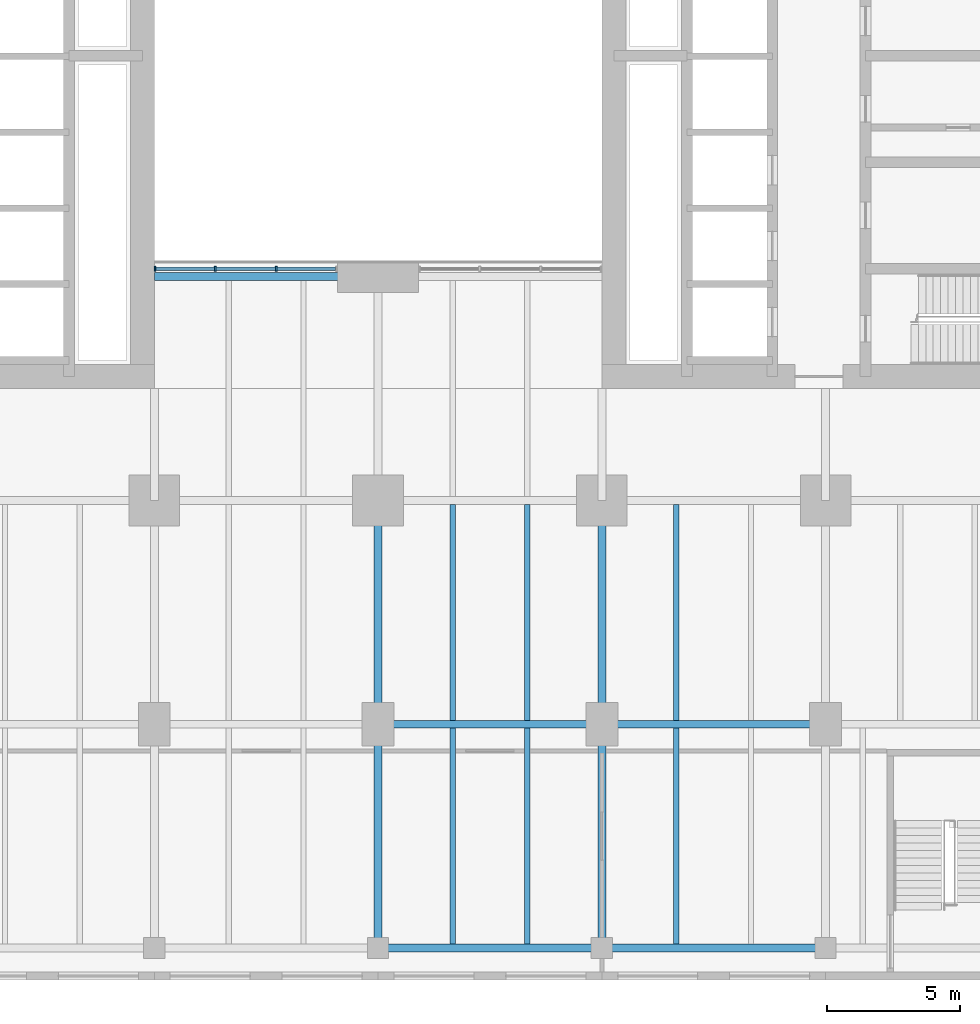
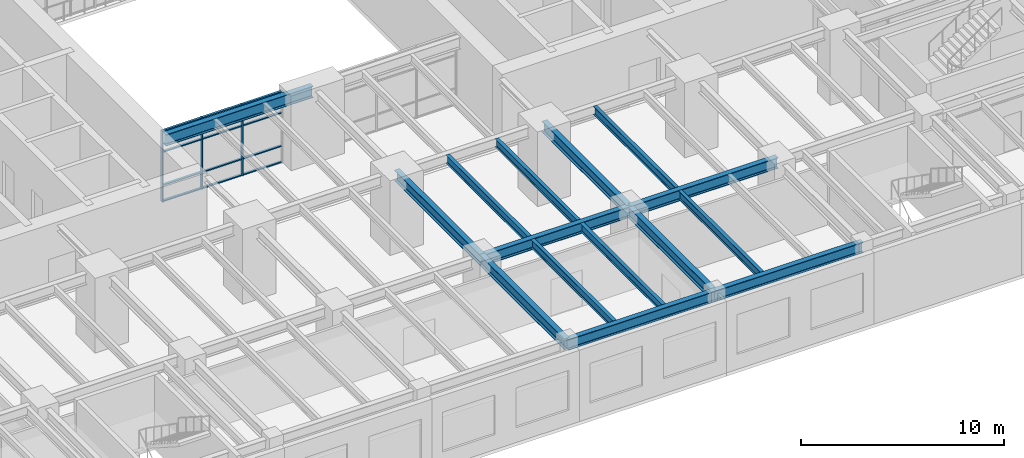
# One storey, part 2 of 26: 15 beams, 15 members, 1 element without a shape of its own.
"""IFC4 building model written with IfcOpenShell, lengths in metres."""

import ifcopenshell
import ifcopenshell.guid

model = None  # the IFC model being written
_history = None  # IfcOwnerHistory: only IFC2X3 demands one
_inside = {}  # id of a spatial element -> (the spatial element, [elements in it])
_under = {}  # id of a project, library or spatial element -> (it, [spatial elements below it])
_declared = {}  # id of a project -> (the project, [libraries it declares])
_typed = {}  # id of a type object -> (the type object, [elements of that type])
_made_of = {}  # id of a material, layer set ... -> (it, [elements and type objects made of it])


def new_model(schema):
    """Start an empty IFC model of exactly this schema.

    Asked for "IFC4X3", IfcOpenShell would pick the latest addendum, in which some entities
    have other attributes; the version numbers below select the first issue.
    IFC2X3 requires an IfcOwnerHistory on every rooted entity: one is made here for all.
    """
    global model, _history
    if schema == "IFC4X3":
        model = ifcopenshell.file(schema_version=(4, 3, 0, 0))
    else:
        model = ifcopenshell.file(schema=schema)
    _inside.clear()
    _under.clear()
    _declared.clear()
    _typed.clear()
    _made_of.clear()
    _history = None
    if model.schema == "IFC2X3":
        org = make("IfcOrganization", Name="unknown")
        user = make(
            "IfcPersonAndOrganization",
            ThePerson=make("IfcPerson", FamilyName="unknown"),
            TheOrganization=org,
        )
        app = make(
            "IfcApplication",
            ApplicationDeveloper=org,
            Version="unknown",
            ApplicationFullName="unknown",
            ApplicationIdentifier="unknown",
        )
        _history = make(
            "IfcOwnerHistory",
            OwningUser=user,
            OwningApplication=app,
            ChangeAction="ADDED",
            CreationDate=0,
        )
    return model


def make(cls, **values):
    """One entity of the class cls with the attributes given. An attribute that is None is left unset."""
    return model.create_entity(
        cls, **{name: value for name, value in values.items() if value is not None}
    )


def rooted(cls, **values):
    """An entity with a GlobalId (a new one), such as an element, a storey or a relation."""
    return make(cls, GlobalId=ifcopenshell.guid.new(), OwnerHistory=_history, **values)


def si_unit(unit_type, name, prefix=None):
    """IfcSIUnit, for example si_unit("LENGTHUNIT", "METRE", prefix="MILLI")."""
    return make("IfcSIUnit", UnitType=unit_type, Prefix=prefix, Name=name)


def assignment(units):
    """IfcUnitAssignment: the units of a project."""
    return None if units is None else make("IfcUnitAssignment", Units=units)


def point(xyz):
    """IfcCartesianPoint."""
    return None if xyz is None else make("IfcCartesianPoint", Coordinates=xyz)


def direction(xyz):
    """IfcDirection."""
    return None if xyz is None else make("IfcDirection", DirectionRatios=xyz)


def frame(location, z_axis=None, x_axis=None):
    """IfcAxis2Placement3D, a coordinate frame: its origin and axes. An axis left out is left unset."""
    return make(
        "IfcAxis2Placement3D",
        Location=point(location),
        Axis=direction(z_axis),
        RefDirection=direction(x_axis),
    )


def frame_2d(location, x_axis=None):
    """IfcAxis2Placement2D, a coordinate frame in the plane: its origin and x axis."""
    return make(
        "IfcAxis2Placement2D", Location=point(location), RefDirection=direction(x_axis)
    )


def origin():
    """The frame at (0, 0, 0) with its axes left unset."""
    return frame((0.0, 0.0, 0.0))


def origin_2d():
    """The frame at (0, 0) in the plane with its x axis left unset."""
    return frame_2d((0.0, 0.0))


def place(relative_to, where):
    """IfcLocalPlacement: puts the frame where relative to a parent placement (None: the world)."""
    return make(
        "IfcLocalPlacement", PlacementRelTo=relative_to, RelativePlacement=where
    )


def context(
    kind, dimensions, precision=None, world=None, true_north=None, identifier=None
):
    """IfcGeometricRepresentationContext, for example the 3D "Model" context."""
    return make(
        "IfcGeometricRepresentationContext",
        ContextIdentifier=identifier,
        ContextType=kind,
        CoordinateSpaceDimension=dimensions,
        Precision=precision,
        WorldCoordinateSystem=world,
        TrueNorth=true_north,
    )


def subcontext(parent, identifier, kind, view, scale=None):
    """IfcGeometricRepresentationSubContext, for example "Body" below "Model"."""
    return make(
        "IfcGeometricRepresentationSubContext",
        ContextIdentifier=identifier,
        ContextType=kind,
        ParentContext=parent,
        TargetScale=scale,
        TargetView=view,
    )


def project(units=None, contexts=None):
    """IfcProject with its units and contexts."""
    return rooted(
        "IfcProject",
        Name="project",
        RepresentationContexts=contexts,
        UnitsInContext=assignment(units),
    )


def spatial(cls, under=None, at=None, **own):
    """A site, building, storey or space (cls), placed at a placement, below another one or the project."""
    s = rooted(cls, ObjectPlacement=at, **own)
    if under is not None:
        _under.setdefault(under.id(), (under, []))[1].append(s)
    return s


def profile(cls, at=None, kind="AREA", **sizes):
    """A parametric profile (cls). Its sizes go by their IFC names, for example OverallWidth=200.0."""
    return make(cls, ProfileType=kind, Position=at, **sizes)


def rectangle(**sizes):
    """IfcRectangleProfileDef."""
    return profile("IfcRectangleProfileDef", **sizes)


def i_section(**sizes):
    """IfcIShapeProfileDef."""
    return profile("IfcIShapeProfileDef", **sizes)


def extrude(swept, where, along, depth):
    """IfcExtrudedAreaSolid: the profile swept, set in the frame where, extruded along a direction by depth."""
    return make(
        "IfcExtrudedAreaSolid",
        SweptArea=swept,
        Position=where,
        ExtrudedDirection=direction(along),
        Depth=depth,
    )


def shape(context_of_items, identifier, shape_type, items):
    """IfcShapeRepresentation: the items that make up one representation, for example the "Body"."""
    return make(
        "IfcShapeRepresentation",
        ContextOfItems=context_of_items,
        RepresentationIdentifier=identifier,
        RepresentationType=shape_type,
        Items=items,
    )


def material(Name=None, Category=None):
    """IfcMaterial."""
    return make("IfcMaterial", Name=Name, Category=Category)


def material_profile(
    of_material, cross_section, Name=None, Category=None, Priority=None
):
    """IfcMaterialProfile: a cross section and its material."""
    return make(
        "IfcMaterialProfile",
        Name=Name,
        Material=of_material,
        Profile=cross_section,
        Priority=Priority,
        Category=Category,
    )


def profile_set(profiles, Name=None, composite=None):
    """IfcMaterialProfileSet."""
    return make(
        "IfcMaterialProfileSet",
        Name=Name,
        MaterialProfiles=profiles,
        CompositeProfile=composite,
    )


def made_of(thing, what):
    """Note that an element or type object is made of a material, layer set ...; save() writes the relation."""
    if what is not None:
        _made_of.setdefault(what.id(), (what, []))[1].append(thing)
    return thing


def type_object(cls, material=None, **own):
    """A type object (cls), such as IfcWallType, which elements share."""
    return made_of(rooted(cls, **own), material)


def element(
    cls,
    number,
    at=None,
    inside=None,
    cuts=None,
    type_object=None,
    material=None,
    context=None,
    identifier="Body",
    shape_type=None,
    held_by="IfcProductDefinitionShape",
    body=None,
    shapes=None,
    **own,
):
    """One element of the class cls, such as IfcWall. Its Tag is "e" and its number.

    at: its placement. inside: the storey or other place that contains it. cuts: it is an
    opening in that element (IfcRelVoidsElement). A single representation is given by context,
    identifier, shape_type and body (its items); several are given by shapes. held_by: the class
    of the entity that holds the representations. save() writes the other relations.
    """
    e = rooted(cls, Tag="e%d" % number, ObjectPlacement=at, **own)
    if body is not None:
        shapes = [shape(context, identifier, shape_type, body)]
    if shapes is not None:
        e.Representation = make(held_by, Representations=shapes)
    if inside is not None:
        _inside.setdefault(inside.id(), (inside, []))[1].append(e)
    if cuts is not None:
        rooted(
            "IfcRelVoidsElement", RelatingBuildingElement=cuts, RelatedOpeningElement=e
        )
    if type_object is not None:
        _typed.setdefault(type_object.id(), (type_object, []))[1].append(e)
    return made_of(e, material)


def aggregate(whole, parts):
    """IfcRelAggregates: a whole, such as a stair, and the parts it consists of."""
    return rooted("IfcRelAggregates", RelatingObject=whole, RelatedObjects=parts)


def save(model, path):
    """Write the relations noted so far, then the file.

    IfcRelAggregates (storeys below a building ...), IfcRelContainedInSpatialStructure (elements
    in a storey), IfcRelDefinesByType, IfcRelAssociatesMaterial and IfcRelDeclares: one each for
    every whole, place, type object, material and project.
    """
    for whole, parts in _under.values():
        aggregate(whole, parts)
    for where, things in _inside.values():
        rooted(
            "IfcRelContainedInSpatialStructure",
            RelatedElements=things,
            RelatingStructure=where,
        )
    for kind, things in _typed.values():
        rooted("IfcRelDefinesByType", RelatedObjects=things, RelatingType=kind)
    for what, things in _made_of.values():
        rooted("IfcRelAssociatesMaterial", RelatedObjects=things, RelatingMaterial=what)
    for by, libraries in _declared.values():
        rooted("IfcRelDeclares", RelatingContext=by, RelatedDefinitions=libraries)
    model.write(path)


model = new_model("IFC4")

# Units and contexts
model_context = context("Model", 3, precision=1e-05, world=origin(), true_north=direction((0.0, 1.0)))
body_context = subcontext(model_context, "Body", "Model", "MODEL_VIEW")
ifc_project = project(units=[si_unit("LENGTHUNIT", "METRE"), si_unit("AREAUNIT", "SQUARE_METRE"), si_unit("VOLUMEUNIT", "CUBIC_METRE"), si_unit("PLANEANGLEUNIT", "RADIAN"), si_unit("MASSUNIT", "GRAM", prefix="KILO")], contexts=[model_context])

# Site, building, storey
site_placement = place(None, origin())
site = spatial("IfcSite", under=ifc_project, at=site_placement, CompositionType="ELEMENT")
building_placement = place(site_placement, origin())
building = spatial("IfcBuilding", under=site, at=building_placement, Name="Claustro Exchange Tower", CompositionType="ELEMENT")
storey_placement = place(building_placement, frame((0.0, 0.0, 9.89990234375)))
storey = spatial("IfcBuildingStorey", under=building, at=storey_placement, Name="L02", CompositionType="ELEMENT", Elevation=9.89990234375)

# Beams
ifc_material_1 = material(Name="Steel S355", Category="steel")
ifc_material_profile_1 = material_profile(ifc_material_1, i_section(OverallWidth=0.300048828125, OverallDepth=0.68994140625, WebThickness=0.014404296875, FlangeThickness=0.027099609375, FilletRadius=0.027099609375, at=origin_2d()), Name="HE 700 A")
ifc_profile_set_1 = profile_set([ifc_material_profile_1], Name="Steel S355")
beam_type_1 = type_object("IfcBeamType", Name="B13 HE 700 A light well edge girder", PredefinedType="BEAM", material=ifc_profile_set_1)
beam_1_placement = place(storey_placement, frame((16.800048828125, 16.800048828125, 3.955078125), z_axis=(1.0, 0.0, 0.0), x_axis=(0.0, 1.0, 0.0)))
element("IfcBeam", 1, at=beam_1_placement, inside=storey, type_object=beam_type_1, Name="Beam B13 L03", PredefinedType="BEAM", context=body_context, shape_type="SweptSolid", body=[
    extrude(i_section(OverallWidth=0.300048828125, OverallDepth=0.68994140625, WebThickness=0.014404296875, FlangeThickness=0.027099609375, FilletRadius=0.027099609375, at=origin_2d()), origin(), (0.0, 0.0, 1.0), 8.39990234375),
])
ifc_material_2 = material(Name="Steel S355", Category="steel")
ifc_material_profile_2 = material_profile(ifc_material_2, i_section(OverallWidth=0.300048828125, OverallDepth=0.64990234375, WebThickness=0.01611328125, FlangeThickness=0.031005859375, FilletRadius=0.027099609375, at=origin_2d()), Name="HE 650 B")
ifc_profile_set_2 = profile_set([ifc_material_profile_2], Name="Steel S355")
beam_type_2 = type_object("IfcBeamType", Name="B1A HE 650 B floor girder", PredefinedType="BEAM", material=ifc_profile_set_2)
for number, where, z_axis, x_axis, name in (
    (2, (25.199951171875, -8.39990234375, 3.97509765625), (0.0, 1.0, 0.0), (-1.0, 0.0, 0.0), "Beam B1A L03"),
    (3, (25.199951171875, 0.0, 3.97509765625), (0.0, 1.0, 0.0), (-1.0, 0.0, 0.0), "Beam B1A L03"),
    (4, (33.60009765625, -8.39990234375, 3.97509765625), (0.0, 1.0, 0.0), (-1.0, 0.0, 0.0), "Beam B1A L03"),
    (5, (33.60009765625, 0.0, 3.97509765625), (0.0, 1.0, 0.0), (-1.0, 0.0, 0.0), "Beam B1A L03"),
):
    element("IfcBeam", number, at=place(storey_placement, frame(where, z_axis=z_axis, x_axis=x_axis)), inside=storey, type_object=beam_type_2, Name=name, PredefinedType="BEAM", context=body_context, shape_type="SweptSolid", body=[
        extrude(i_section(OverallWidth=0.300048828125, OverallDepth=0.64990234375, WebThickness=0.01611328125, FlangeThickness=0.031005859375, FilletRadius=0.027099609375, at=origin_2d()), origin(), (0.0, 0.0, 1.0), 8.39990234375),
    ])
beam_2_placement = place(storey_placement, frame((25.199951171875, -8.39990234375, 3.97509765625), z_axis=(1.0, 0.0, 0.0), x_axis=(0.0, 1.0, 0.0)))
element("IfcBeam", 6, at=beam_2_placement, inside=storey, type_object=beam_type_2, Name="Beam B1A L03", PredefinedType="BEAM", context=body_context, shape_type="SweptSolid", body=[
    extrude(i_section(OverallWidth=0.300048828125, OverallDepth=0.64990234375, WebThickness=0.01611328125, FlangeThickness=0.031005859375, FilletRadius=0.027099609375, at=origin_2d()), origin(), (0.0, 0.0, 1.0), 8.400146484375),
])
beam_3_placement = place(storey_placement, frame((33.60009765625, -8.39990234375, 3.97509765625), z_axis=(1.0, 0.0, 0.0), x_axis=(0.0, 1.0, 0.0)))
element("IfcBeam", 7, at=beam_3_placement, inside=storey, type_object=beam_type_2, Name="Beam B1A L03", PredefinedType="BEAM", context=body_context, shape_type="SweptSolid", body=[
    extrude(i_section(OverallWidth=0.300048828125, OverallDepth=0.64990234375, WebThickness=0.01611328125, FlangeThickness=0.031005859375, FilletRadius=0.027099609375, at=origin_2d()), origin(), (0.0, 0.0, 1.0), 8.39990234375),
])
beam_4_placement = place(storey_placement, frame((25.199951171875, 0.0, 3.97509765625), z_axis=(1.0, 0.0, 0.0), x_axis=(0.0, 1.0, 0.0)))
element("IfcBeam", 8, at=beam_4_placement, inside=storey, type_object=beam_type_2, Name="Beam B1A L03", PredefinedType="BEAM", context=body_context, shape_type="SweptSolid", body=[
    extrude(i_section(OverallWidth=0.300048828125, OverallDepth=0.64990234375, WebThickness=0.01611328125, FlangeThickness=0.031005859375, FilletRadius=0.027099609375, at=origin_2d()), origin(), (0.0, 0.0, 1.0), 8.400146484375),
])
beam_5_placement = place(storey_placement, frame((33.60009765625, 0.0, 3.97509765625), z_axis=(1.0, 0.0, 0.0), x_axis=(0.0, 1.0, 0.0)))
element("IfcBeam", 9, at=beam_5_placement, inside=storey, type_object=beam_type_2, Name="Beam B1A L03", PredefinedType="BEAM", context=body_context, shape_type="SweptSolid", body=[
    extrude(i_section(OverallWidth=0.300048828125, OverallDepth=0.64990234375, WebThickness=0.01611328125, FlangeThickness=0.031005859375, FilletRadius=0.027099609375, at=origin_2d()), origin(), (0.0, 0.0, 1.0), 8.39990234375),
])
ifc_material_3 = material(Name="Steel S355", Category="steel")
ifc_material_profile_3 = material_profile(ifc_material_3, i_section(OverallWidth=0.199951171875, OverallDepth=0.5, WebThickness=0.01025390625, FlangeThickness=0.01611328125, FilletRadius=0.02099609375, at=origin_2d()), Name="IPE 500")
ifc_profile_set_3 = profile_set([ifc_material_profile_3], Name="Steel S355")
beam_type_3 = type_object("IfcBeamType", Name="B2 IPE 500 secondary beam", PredefinedType="BEAM", material=ifc_profile_set_3)
for number, where, z_axis, x_axis, name in (
    (10, (28.0, -8.25, 4.050048828125), (0.0, 1.0, 0.0), (-1.0, 0.0, 0.0), "Beam B2 L03"),
    (11, (30.800048828125, -8.25, 4.050048828125), (0.0, 1.0, 0.0), (-1.0, 0.0, 0.0), "Beam B2 L03"),
    (12, (28.0, 0.14990234375, 4.050048828125), (0.0, 1.0, 0.0), (-1.0, 0.0, 0.0), "Beam B2 L03"),
    (13, (30.800048828125, 0.14990234375, 4.050048828125), (0.0, 1.0, 0.0), (-1.0, 0.0, 0.0), "Beam B2 L03"),
    (14, (36.39990234375, -8.25, 4.050048828125), (0.0, 1.0, 0.0), (-1.0, 0.0, 0.0), "Beam B2 L03"),
    (15, (36.39990234375, 0.14990234375, 4.050048828125), (0.0, 1.0, 0.0), (-1.0, 0.0, 0.0), "Beam B2 L03"),
):
    element("IfcBeam", number, at=place(storey_placement, frame(where, z_axis=z_axis, x_axis=x_axis)), inside=storey, type_object=beam_type_3, Name=name, PredefinedType="BEAM", context=body_context, shape_type="SweptSolid", body=[
        extrude(i_section(OverallWidth=0.199951171875, OverallDepth=0.5, WebThickness=0.01025390625, FlangeThickness=0.01611328125, FilletRadius=0.02099609375, at=origin_2d()), origin(), (0.0, 0.0, 1.0), 8.10009765625),
    ])

# Curtain wall, members
ifc_material_4 = material(Name="Aluminium frame, clear double glazing", Category="aluminium")
curtain_wall_type = type_object("IfcCurtainWallType", Name="CW3 light well curtain wall", PredefinedType="USERDEFINED", material=ifc_material_4)
curtain_wall_placement = place(storey_placement, origin())
curtain_wall = element("IfcCurtainWall", 16, at=curtain_wall_placement, inside=storey, type_object=curtain_wall_type, Name="Curtain wall CW3 L02", ObjectType="STICK CURTAIN WALL", PredefinedType="USERDEFINED")
ifc_material_5 = material(Name="Aluminium mullion", Category="aluminium")
ifc_material_profile_4 = material_profile(ifc_material_5, rectangle(XDim=0.179931640625, YDim=0.06494140625, at=origin_2d()), Name="CW3-M 65x180")
ifc_profile_set_4 = profile_set([ifc_material_profile_4], Name="Aluminium mullion")
member_type_1 = type_object("IfcMemberType", Name="CW3-M 65 x 180 mullion", PredefinedType="MULLION", material=ifc_profile_set_4)
member_1_placement = place(storey_placement, frame((16.83251953125, 17.10009765625, 0.0), z_axis=(0.0, 0.0, 1.0), x_axis=(0.0, 1.0, 0.0)))
member_1 = element("IfcMember", 17, at=member_1_placement, type_object=member_type_1, Name="CW3 mullion 1", PredefinedType="MULLION", context=body_context, shape_type="SweptSolid", body=[
    extrude(rectangle(XDim=0.179931640625, YDim=0.06494140625, at=origin_2d()), origin(), (0.0, 0.0, 1.0), 4.300048828125),
])
member_2_placement = place(storey_placement, frame((19.091552734375, 17.10009765625, 0.0), z_axis=(0.0, 0.0, 1.0), x_axis=(0.0, 1.0, 0.0)))
member_2 = element("IfcMember", 18, at=member_2_placement, type_object=member_type_1, Name="CW3 mullion 2", PredefinedType="MULLION", context=body_context, shape_type="SweptSolid", body=[
    extrude(rectangle(XDim=0.179931640625, YDim=0.06494140625, at=origin_2d()), origin(), (0.0, 0.0, 1.0), 4.300048828125),
])
member_3_placement = place(storey_placement, frame((21.38330078125, 17.10009765625, 0.0), z_axis=(0.0, 0.0, 1.0), x_axis=(0.0, 1.0, 0.0)))
member_3 = element("IfcMember", 19, at=member_3_placement, type_object=member_type_1, Name="CW3 mullion 3", PredefinedType="MULLION", context=body_context, shape_type="SweptSolid", body=[
    extrude(rectangle(XDim=0.179931640625, YDim=0.06494140625, at=origin_2d()), origin(), (0.0, 0.0, 1.0), 4.300048828125),
])
ifc_material_6 = material(Name="Aluminium transom", Category="aluminium")
ifc_material_profile_5 = material_profile(ifc_material_6, rectangle(XDim=0.1298828125, YDim=0.06494140625, at=origin_2d()), Name="CW3-T 65x130")
ifc_profile_set_5 = profile_set([ifc_material_profile_5], Name="Aluminium transom")
member_type_2 = type_object("IfcMemberType", Name="CW3-T 65 x 130 transom", PredefinedType="USERDEFINED", material=ifc_profile_set_5)
member_4_placement = place(storey_placement, frame((16.864990234375, 17.10009765625, 0.03271484375), z_axis=(1.0, 0.0, 0.0), x_axis=(0.0, 1.0, 0.0)))
member_4 = element("IfcMember", 20, at=member_4_placement, type_object=member_type_2, Name="CW3 transom 1.1", ObjectType="TRANSOM", PredefinedType="USERDEFINED", context=body_context, shape_type="SweptSolid", body=[
    extrude(rectangle(XDim=0.1298828125, YDim=0.06494140625, at=origin_2d()), origin(), (0.0, 0.0, 1.0), 2.194091796875),
])
member_5_placement = place(storey_placement, frame((16.864990234375, 17.10009765625, 1.0), z_axis=(1.0, 0.0, 0.0), x_axis=(0.0, 1.0, 0.0)))
member_5 = element("IfcMember", 21, at=member_5_placement, type_object=member_type_2, Name="CW3 transom 1.2", ObjectType="TRANSOM", PredefinedType="USERDEFINED", context=body_context, shape_type="SweptSolid", body=[
    extrude(rectangle(XDim=0.1298828125, YDim=0.06494140625, at=origin_2d()), origin(), (0.0, 0.0, 1.0), 2.194091796875),
])
member_6_placement = place(storey_placement, frame((16.864990234375, 17.10009765625, 3.0), z_axis=(1.0, 0.0, 0.0), x_axis=(0.0, 1.0, 0.0)))
member_6 = element("IfcMember", 22, at=member_6_placement, type_object=member_type_2, Name="CW3 transom 1.3", ObjectType="TRANSOM", PredefinedType="USERDEFINED", context=body_context, shape_type="SweptSolid", body=[
    extrude(rectangle(XDim=0.1298828125, YDim=0.06494140625, at=origin_2d()), origin(), (0.0, 0.0, 1.0), 2.194091796875),
])
member_7_placement = place(storey_placement, frame((16.864990234375, 17.10009765625, 4.267578125), z_axis=(1.0, 0.0, 0.0), x_axis=(0.0, 1.0, 0.0)))
member_7 = element("IfcMember", 23, at=member_7_placement, type_object=member_type_2, Name="CW3 transom 1.4", ObjectType="TRANSOM", PredefinedType="USERDEFINED", context=body_context, shape_type="SweptSolid", body=[
    extrude(rectangle(XDim=0.1298828125, YDim=0.06494140625, at=origin_2d()), origin(), (0.0, 0.0, 1.0), 2.194091796875),
])
member_8_placement = place(storey_placement, frame((19.124267578125, 17.10009765625, 0.03271484375), z_axis=(1.0, 0.0, 0.0), x_axis=(0.0, 1.0, 0.0)))
member_8 = element("IfcMember", 24, at=member_8_placement, type_object=member_type_2, Name="CW3 transom 2.1", ObjectType="TRANSOM", PredefinedType="USERDEFINED", context=body_context, shape_type="SweptSolid", body=[
    extrude(rectangle(XDim=0.1298828125, YDim=0.06494140625, at=origin_2d()), origin(), (0.0, 0.0, 1.0), 2.2265625),
])
member_9_placement = place(storey_placement, frame((19.124267578125, 17.10009765625, 1.0), z_axis=(1.0, 0.0, 0.0), x_axis=(0.0, 1.0, 0.0)))
member_9 = element("IfcMember", 25, at=member_9_placement, type_object=member_type_2, Name="CW3 transom 2.2", ObjectType="TRANSOM", PredefinedType="USERDEFINED", context=body_context, shape_type="SweptSolid", body=[
    extrude(rectangle(XDim=0.1298828125, YDim=0.06494140625, at=origin_2d()), origin(), (0.0, 0.0, 1.0), 2.2265625),
])
member_10_placement = place(storey_placement, frame((19.124267578125, 17.10009765625, 3.0), z_axis=(1.0, 0.0, 0.0), x_axis=(0.0, 1.0, 0.0)))
member_10 = element("IfcMember", 26, at=member_10_placement, type_object=member_type_2, Name="CW3 transom 2.3", ObjectType="TRANSOM", PredefinedType="USERDEFINED", context=body_context, shape_type="SweptSolid", body=[
    extrude(rectangle(XDim=0.1298828125, YDim=0.06494140625, at=origin_2d()), origin(), (0.0, 0.0, 1.0), 2.2265625),
])
member_11_placement = place(storey_placement, frame((19.124267578125, 17.10009765625, 4.267578125), z_axis=(1.0, 0.0, 0.0), x_axis=(0.0, 1.0, 0.0)))
member_11 = element("IfcMember", 27, at=member_11_placement, type_object=member_type_2, Name="CW3 transom 2.4", ObjectType="TRANSOM", PredefinedType="USERDEFINED", context=body_context, shape_type="SweptSolid", body=[
    extrude(rectangle(XDim=0.1298828125, YDim=0.06494140625, at=origin_2d()), origin(), (0.0, 0.0, 1.0), 2.2265625),
])
member_12_placement = place(storey_placement, frame((21.415771484375, 17.10009765625, 0.03271484375), z_axis=(1.0, 0.0, 0.0), x_axis=(0.0, 1.0, 0.0)))
member_12 = element("IfcMember", 28, at=member_12_placement, type_object=member_type_2, Name="CW3 transom 3.1", ObjectType="TRANSOM", PredefinedType="USERDEFINED", context=body_context, shape_type="SweptSolid", body=[
    extrude(rectangle(XDim=0.1298828125, YDim=0.06494140625, at=origin_2d()), origin(), (0.0, 0.0, 1.0), 2.1943359375),
])
member_13_placement = place(storey_placement, frame((21.415771484375, 17.10009765625, 1.0), z_axis=(1.0, 0.0, 0.0), x_axis=(0.0, 1.0, 0.0)))
member_13 = element("IfcMember", 29, at=member_13_placement, type_object=member_type_2, Name="CW3 transom 3.2", ObjectType="TRANSOM", PredefinedType="USERDEFINED", context=body_context, shape_type="SweptSolid", body=[
    extrude(rectangle(XDim=0.1298828125, YDim=0.06494140625, at=origin_2d()), origin(), (0.0, 0.0, 1.0), 2.1943359375),
])
member_14_placement = place(storey_placement, frame((21.415771484375, 17.10009765625, 3.0), z_axis=(1.0, 0.0, 0.0), x_axis=(0.0, 1.0, 0.0)))
member_14 = element("IfcMember", 30, at=member_14_placement, type_object=member_type_2, Name="CW3 transom 3.3", ObjectType="TRANSOM", PredefinedType="USERDEFINED", context=body_context, shape_type="SweptSolid", body=[
    extrude(rectangle(XDim=0.1298828125, YDim=0.06494140625, at=origin_2d()), origin(), (0.0, 0.0, 1.0), 2.1943359375),
])
member_15_placement = place(storey_placement, frame((21.415771484375, 17.10009765625, 4.267578125), z_axis=(1.0, 0.0, 0.0), x_axis=(0.0, 1.0, 0.0)))
member_15 = element("IfcMember", 31, at=member_15_placement, type_object=member_type_2, Name="CW3 transom 3.4", ObjectType="TRANSOM", PredefinedType="USERDEFINED", context=body_context, shape_type="SweptSolid", body=[
    extrude(rectangle(XDim=0.1298828125, YDim=0.06494140625, at=origin_2d()), origin(), (0.0, 0.0, 1.0), 2.1943359375),
])
aggregate(curtain_wall, [member_1, member_2, member_3, member_4, member_5, member_6, member_7, member_8, member_9, member_10, member_11, member_12, member_13, member_14, member_15])

save(model, "model.ifc")
